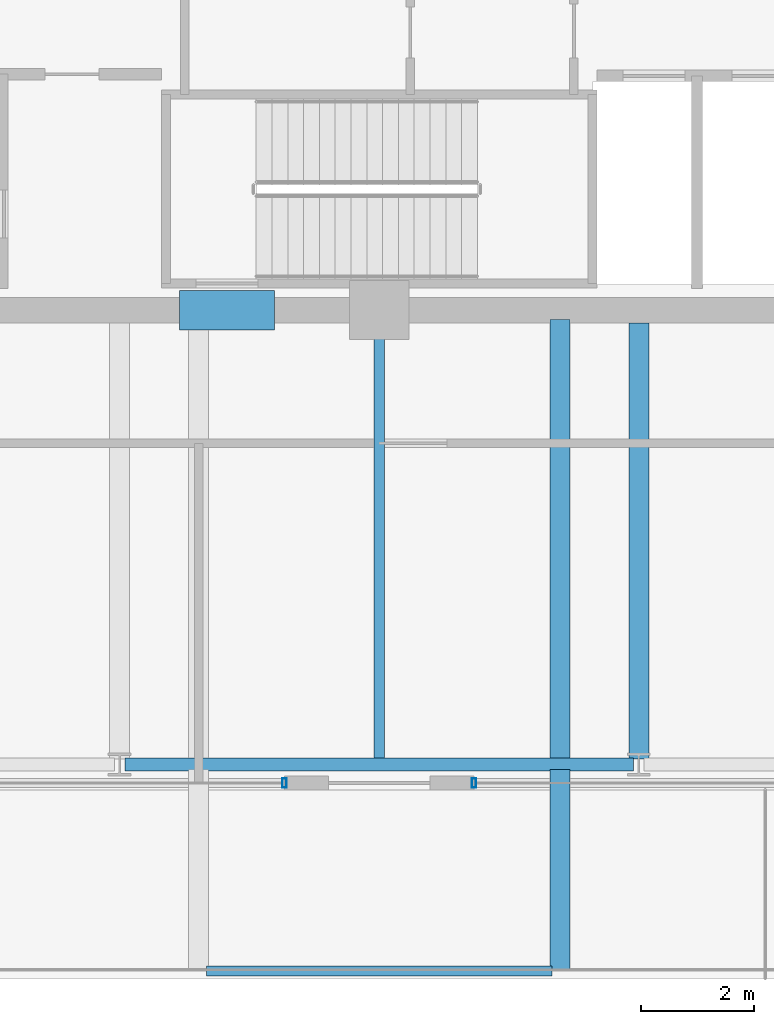
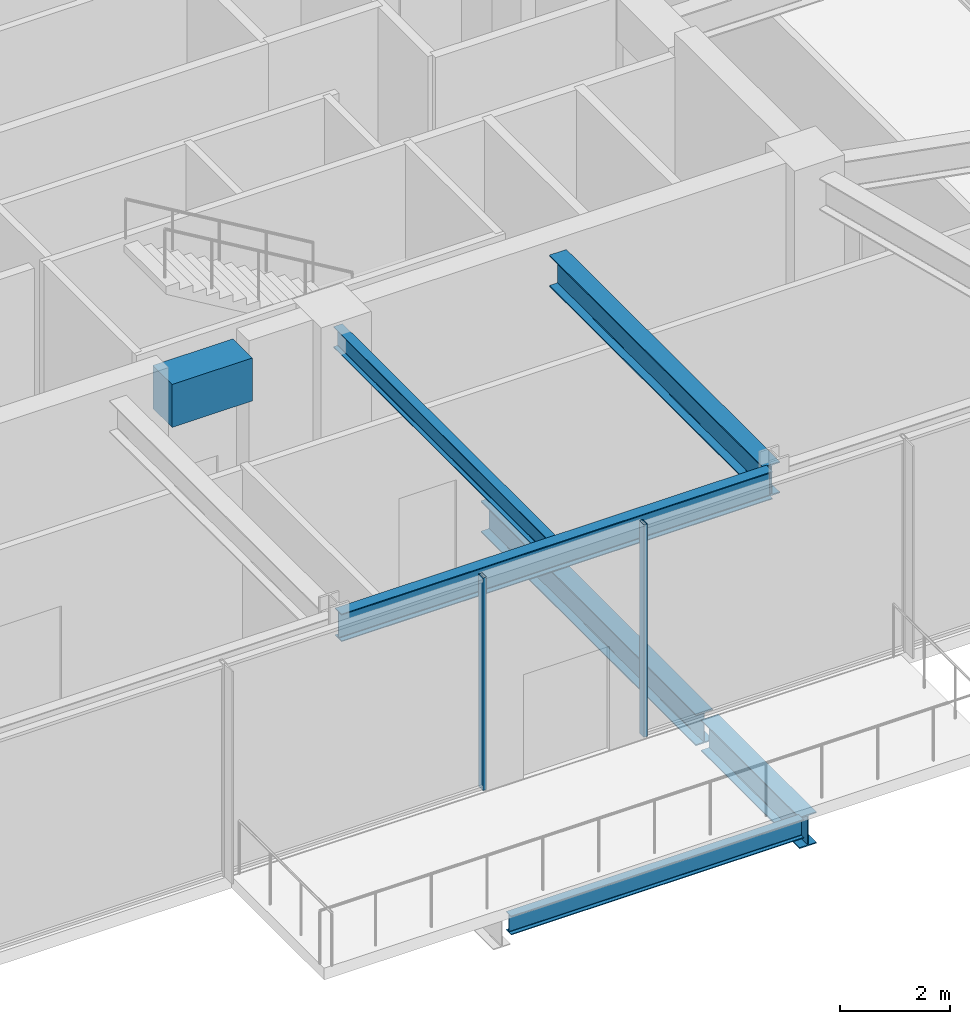
# One storey, part 5 of 31: 7 beams, 2 members, 2 elements without a shape of their own.
"""IFC4 building model written with IfcOpenShell, lengths in metres."""

from ifc_helpers import new_model, si_unit, direction, frame, origin, origin_2d, place, context, subcontext, project, spatial, rectangle, hollow_rectangle, i_section, extrude, material, material_profile, profile_set, type_object, element, aggregate, save


model = new_model("IFC4")

# Units and contexts
model_context = context("Model", 3, precision=1e-05, world=origin(), true_north=direction((0.0, 1.0)))
body_context = subcontext(model_context, "Body", "Model", "MODEL_VIEW")
ifc_project = project(units=[si_unit("LENGTHUNIT", "METRE"), si_unit("AREAUNIT", "SQUARE_METRE"), si_unit("VOLUMEUNIT", "CUBIC_METRE"), si_unit("PLANEANGLEUNIT", "RADIAN"), si_unit("MASSUNIT", "GRAM", prefix="KILO")], contexts=[model_context])

# Site, building, storey
site_placement = place(None, origin())
site = spatial("IfcSite", under=ifc_project, at=site_placement, CompositionType="ELEMENT")
building_placement = place(site_placement, origin())
building = spatial("IfcBuilding", under=site, at=building_placement, Name="Kolvaren Belvedere", CompositionType="ELEMENT")
storey_placement = place(building_placement, frame((0.0, 0.0, 267.39990234375)))
storey = spatial("IfcBuildingStorey", under=building, at=storey_placement, Name="L77", CompositionType="ELEMENT", Elevation=267.39990234375)

# Beams
ifc_material_1 = material(Name="Structural steel ASTM A992 Grade 50", Category="steel")
ifc_material_profile_1 = material_profile(ifc_material_1, i_section(OverallWidth=0.35498046875, OverallDepth=0.696044921875, WebThickness=0.015380859375, FlangeThickness=0.02490234375, FilletRadius=0.02197265625, at=origin_2d()), Name="W27X146")
ifc_profile_set_1 = profile_set([ifc_material_profile_1], Name="Structural steel ASTM A992 Grade 50")
beam_type_1 = type_object("IfcBeamType", Name="BM-CANT-BAL", PredefinedType="BEAM", material=ifc_profile_set_1)
beam_1_placement = place(storey_placement, frame((3.199951171875, -18.044921875, -0.6279296875), z_axis=(0.0, -1.0, 0.0), x_axis=(1.0, 0.0, 0.0)))
element("IfcBeam", 1, at=beam_1_placement, inside=storey, type_object=beam_type_1, Name="L77 Planted Balcony Cantilever LOOKOUT-S-2", PredefinedType="BEAM", context=body_context, shape_type="SweptSolid", body=[
    extrude(i_section(OverallWidth=0.35498046875, OverallDepth=0.696044921875, WebThickness=0.015380859375, FlangeThickness=0.02490234375, FilletRadius=0.02197265625, at=origin_2d()), origin(), (0.0, 0.0, 1.0), 3.565185546875),
])
ifc_material_2 = material(Name="Structural steel ASTM A992 Grade 50", Category="steel")
ifc_material_profile_2 = material_profile(ifc_material_2, i_section(OverallWidth=0.180908203125, OverallDepth=0.4169921875, WebThickness=0.010986328125, FlangeThickness=0.018310546875, FilletRadius=0.013916015625, at=origin_2d()), Name="W16X57")
ifc_profile_set_2 = profile_set([ifc_material_profile_2], Name="Structural steel ASTM A992 Grade 50")
beam_type_2 = type_object("IfcBeamType", Name="BM-EDGE-W16X57", PredefinedType="BEAM", material=ifc_profile_set_2)
beam_2_placement = place(storey_placement, frame((-3.06005859375, -21.610107421875, -0.48828125), z_axis=(1.0, 0.0, 0.0), x_axis=(0.0, 1.0, 0.0)))
element("IfcBeam", 2, at=beam_2_placement, inside=storey, type_object=beam_type_2, Name="L77 Balcony Tip Header Beam LOOKOUT-S", PredefinedType="BEAM", context=body_context, shape_type="SweptSolid", body=[
    extrude(i_section(OverallWidth=0.180908203125, OverallDepth=0.4169921875, WebThickness=0.010986328125, FlangeThickness=0.018310546875, FilletRadius=0.013916015625, at=origin_2d()), origin(), (0.0, 0.0, 1.0), 6.1201171875),
])
ifc_material_3 = material(Name="Structural steel ASTM A992 Grade 50", Category="steel")
ifc_material_profile_3 = material_profile(ifc_material_3, i_section(OverallWidth=0.35498046875, OverallDepth=0.696044921875, WebThickness=0.015380859375, FlangeThickness=0.02490234375, FilletRadius=0.02197265625, at=origin_2d()), Name="W27X146")
ifc_profile_set_3 = profile_set([ifc_material_profile_3], Name="Structural steel ASTM A992 Grade 50")
beam_type_3 = type_object("IfcBeamType", Name="BM-GIRD-W27X146", PredefinedType="BEAM", material=ifc_profile_set_3)
beam_3_placement = place(storey_placement, frame((3.199951171875, -10.06494140625, -0.6279296875), z_axis=(0.0, -1.0, 0.0), x_axis=(1.0, 0.0, 0.0)))
element("IfcBeam", 3, at=beam_3_placement, inside=storey, type_object=beam_type_3, Name="L77 Balcony Interior Back-Span Girder LOOKOUT-S-2", PredefinedType="BEAM", context=body_context, shape_type="SweptSolid", body=[
    extrude(i_section(OverallWidth=0.35498046875, OverallDepth=0.696044921875, WebThickness=0.015380859375, FlangeThickness=0.02490234375, FilletRadius=0.02197265625, at=origin_2d()), origin(), (0.0, 0.0, 1.0), 7.7900390625),
])
beam_4_placement = place(storey_placement, frame((4.60009765625, -10.125, 4.35205078125), z_axis=(0.0, -1.0, 0.0), x_axis=(1.0, 0.0, 0.0)))
element("IfcBeam", 4, at=beam_4_placement, inside=storey, type_object=beam_type_3, Name="L77 South Radial Girder P", PredefinedType="BEAM", context=body_context, shape_type="SweptSolid", body=[
    extrude(i_section(OverallWidth=0.35498046875, OverallDepth=0.696044921875, WebThickness=0.015380859375, FlangeThickness=0.02490234375, FilletRadius=0.02197265625, at=origin_2d()), origin(), (0.0, 0.0, 1.0), 7.7333984375),
])
ifc_material_4 = material(Name="Structural steel ASTM A992 Grade 50", Category="steel")
ifc_material_profile_4 = material_profile(ifc_material_4, i_section(OverallWidth=0.19091796875, OverallDepth=0.4599609375, WebThickness=0.010009765625, FlangeThickness=0.01611328125, FilletRadius=0.014892578125, at=origin_2d()), Name="W18X55")
ifc_profile_set_4 = profile_set([ifc_material_profile_4], Name="Structural steel ASTM A992 Grade 50")
beam_type_4 = type_object("IfcBeamType", Name="BM-JOIST-W18X55", PredefinedType="BEAM", material=ifc_profile_set_4)
beam_5_placement = place(storey_placement, frame((0.0, -10.125, 4.47021484375), z_axis=(0.0, -1.0, 0.0), x_axis=(1.0, 0.0, 0.0)))
element("IfcBeam", 5, at=beam_5_placement, inside=storey, type_object=beam_type_4, Name="L77 South Centre Floor Beam", PredefinedType="BEAM", context=body_context, shape_type="SweptSolid", body=[
    extrude(i_section(OverallWidth=0.19091796875, OverallDepth=0.4599609375, WebThickness=0.010009765625, FlangeThickness=0.01611328125, FilletRadius=0.014892578125, at=origin_2d()), origin(), (0.0, 0.0, 1.0), 7.71044921875),
])
ifc_material_5 = material(Name="Concrete C60/75", Category="concrete")
ifc_material_profile_5 = material_profile(ifc_material_5, rectangle(XDim=0.699951171875, YDim=0.949951171875, at=origin_2d()), Name="RC 700X950")
ifc_profile_set_5 = profile_set([ifc_material_profile_5], Name="Concrete C60/75")
beam_type_5 = type_object("IfcBeamType", Name="BM-LINT-950", PredefinedType="LINTEL", material=ifc_profile_set_5)
beam_6_placement = place(storey_placement, frame((-3.5400390625, -9.89990234375, 4.22509765625), z_axis=(1.0, 0.0, 0.0), x_axis=(0.0, 1.0, 0.0)))
element("IfcBeam", 6, at=beam_6_placement, inside=storey, type_object=beam_type_5, Name="L77 South Core Coupling Lintel", PredefinedType="LINTEL", context=body_context, shape_type="SweptSolid", body=[
    extrude(rectangle(XDim=0.699951171875, YDim=0.949951171875, at=origin_2d()), origin(), (0.0, 0.0, 1.0), 1.679931640625),
])
ifc_material_6 = material(Name="Structural steel ASTM A992 Grade 50", Category="steel")
ifc_material_profile_6 = material_profile(ifc_material_6, i_section(OverallWidth=0.22900390625, OverallDepth=0.612060546875, WebThickness=0.011962890625, FlangeThickness=0.01953125, FilletRadius=0.01806640625, at=origin_2d()), Name="W24X84")
ifc_profile_set_6 = profile_set([ifc_material_profile_6], Name="Structural steel ASTM A992 Grade 50")
beam_type_6 = type_object("IfcBeamType", Name="BM-SPAN-W24X84", PredefinedType="SPANDREL", material=ifc_profile_set_6)
beam_7_placement = place(storey_placement, frame((-4.50830078125, -17.949951171875, 4.39404296875), z_axis=(1.0, 0.0, 0.0), x_axis=(0.0, 1.0, 0.0)))
element("IfcBeam", 7, at=beam_7_placement, inside=storey, type_object=beam_type_6, Name="L77 Perimeter Spandrel S2-S3", PredefinedType="SPANDREL", context=body_context, shape_type="SweptSolid", body=[
    extrude(i_section(OverallWidth=0.22900390625, OverallDepth=0.612060546875, WebThickness=0.011962890625, FlangeThickness=0.01953125, FilletRadius=0.01806640625, at=origin_2d()), origin(), (0.0, 0.0, 1.0), 9.0166015625),
])

# Curtain wall, member
ifc_material_7 = material(Name="Anodised pale-metal aluminium AA 6063-T6", Category="aluminium")
curtain_wall_type = type_object("IfcCurtainWallType", Name="CW-CRN-OBS", PredefinedType="NOTDEFINED", material=ifc_material_7)
curtain_wall_1_placement = place(storey_placement, origin())
curtain_wall_1 = element("IfcCurtainWall", 8, at=curtain_wall_1_placement, inside=storey, type_object=curtain_wall_type, Name="L77 Unitised Curtain Wall FCW-L77-S1", PredefinedType="NOTDEFINED")
ifc_material_8 = material(Name="Anodised pale-metal aluminium AA 6063-T6", Category="aluminium")
ifc_material_profile_7 = material_profile(ifc_material_8, hollow_rectangle(XDim=0.074951171875, YDim=0.159912109375, WallThickness=0.00439453125, at=origin_2d()), Name="ALU-MUL-160X75")
ifc_profile_set_7 = profile_set([ifc_material_profile_7], Name="Anodised pale-metal aluminium AA 6063-T6")
member_type = type_object("IfcMemberType", Name="CW-MUL-160", PredefinedType="MULLION", material=ifc_profile_set_7)
member_1_placement = place(storey_placement, frame((1.679931640625, -18.280029296875, 0.0), z_axis=(0.0, 0.0, 1.0), x_axis=(1.0, 0.0, 0.0)))
member_1 = element("IfcMember", 9, at=member_1_placement, type_object=member_type, Name="FCW-L77-S1 Unitised Mullion 3", PredefinedType="MULLION", context=body_context, shape_type="SweptSolid", body=[
    extrude(hollow_rectangle(XDim=0.074951171875, YDim=0.159912109375, WallThickness=0.00439453125, at=origin_2d()), origin(), (0.0, 0.0, 1.0), 4.7001953125),
])
aggregate(curtain_wall_1, [member_1])

curtain_wall_2_placement = place(storey_placement, origin())
curtain_wall_2 = element("IfcCurtainWall", 10, at=curtain_wall_2_placement, inside=storey, type_object=curtain_wall_type, Name="L77 Unitised Curtain Wall FCW-L77-S2", PredefinedType="NOTDEFINED")
member_2_placement = place(storey_placement, frame((-1.679931640625, -18.280029296875, 0.0), z_axis=(0.0, 0.0, 1.0), x_axis=(1.0, 0.0, 0.0)))
member_2 = element("IfcMember", 11, at=member_2_placement, type_object=member_type, Name="FCW-L77-S2 Unitised Mullion 1", PredefinedType="MULLION", context=body_context, shape_type="SweptSolid", body=[
    extrude(hollow_rectangle(XDim=0.074951171875, YDim=0.159912109375, WallThickness=0.00439453125, at=origin_2d()), origin(), (0.0, 0.0, 1.0), 4.7001953125),
])
aggregate(curtain_wall_2, [member_2])

save(model, "model.ifc")
